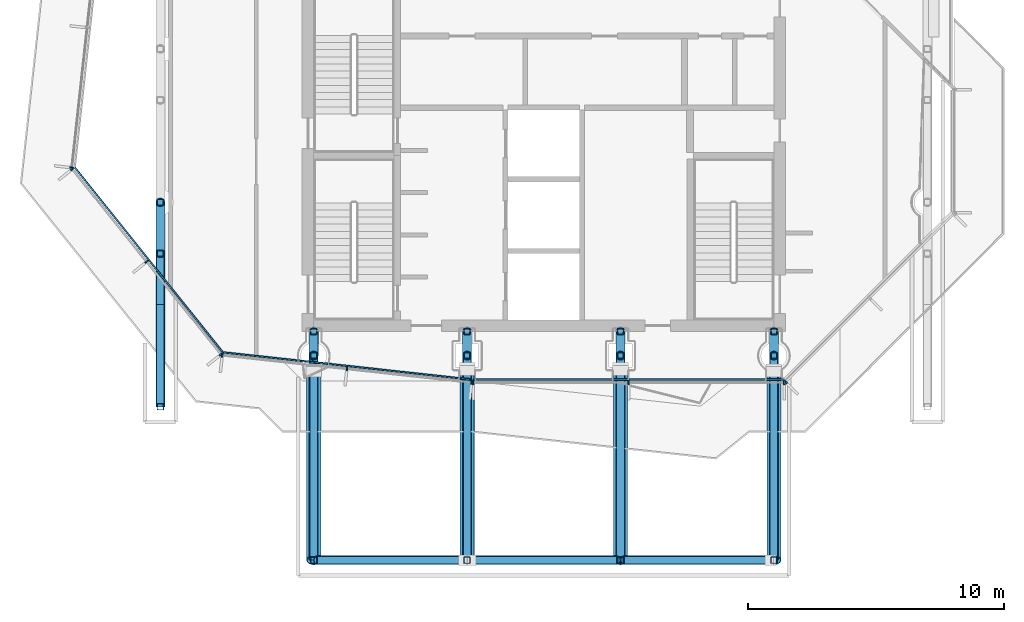
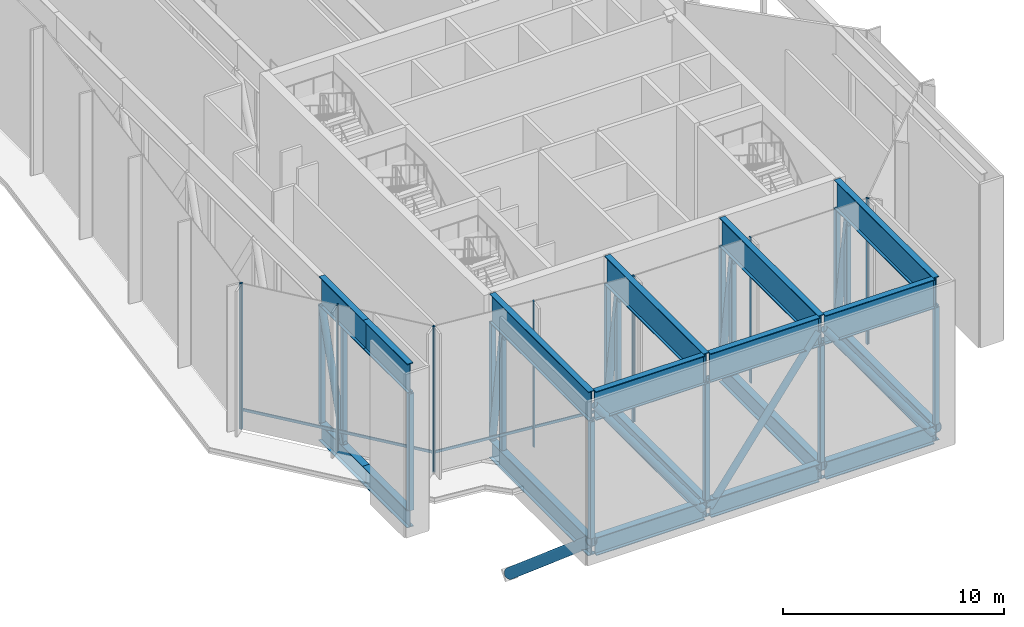
# One storey, part 1 of 21: 53 members, 6 beams, 5 elements without a shape of their own.
"""IFC4 building model written with IfcOpenShell, lengths in metres."""

from ifc_helpers import new_model, si_unit, direction, frame, origin, origin_2d, place, context, subcontext, project, spatial, rectangle, hollow_rectangle, hollow_circle, i_section, extrude, material, layer, layer_set, material_profile, profile_set, type_object, element, aggregate, save


model = new_model("IFC4")

# Units and contexts
model_context = context("Model", 3, precision=1e-05, world=origin(), true_north=direction((0.0, 1.0)))
body_context = subcontext(model_context, "Body", "Model", "MODEL_VIEW")
ifc_project = project(units=[si_unit("LENGTHUNIT", "METRE"), si_unit("AREAUNIT", "SQUARE_METRE"), si_unit("VOLUMEUNIT", "CUBIC_METRE"), si_unit("PLANEANGLEUNIT", "RADIAN"), si_unit("MASSUNIT", "GRAM", prefix="KILO")], contexts=[model_context])

# Site, building, storey
site_placement = place(None, origin())
site = spatial("IfcSite", under=ifc_project, at=site_placement, CompositionType="ELEMENT")
building_placement = place(site_placement, origin())
building = spatial("IfcBuilding", under=site, at=building_placement, Name="Welwitschia Terrace Campus", CompositionType="ELEMENT")
storey_placement = place(building_placement, frame((0.0, 0.0, 255.800048828125)))
storey = spatial("IfcBuildingStorey", under=building, at=storey_placement, Name="L57", CompositionType="ELEMENT", Elevation=255.800048828125)

# Curtain wall, member
ifc_material_1 = material(Name="Bronze anodised aluminium", Category="aluminium")
ifc_layer = layer(ifc_material_1, 0.159912109375)
ifc_layer_set = layer_set([ifc_layer], Name="Bronze anodised aluminium")
curtain_wall_type = type_object("IfcCurtainWallType", Name="Curtain wall CW3 commons 6000", PredefinedType="NOTDEFINED", material=ifc_layer_set)
curtain_wall_1_placement = place(storey_placement, origin())
curtain_wall_1 = element("IfcCurtainWall", 1, at=curtain_wall_1_placement, inside=storey, type_object=curtain_wall_type, Name="CW L57.0.0", PredefinedType="NOTDEFINED")
ifc_material_2 = material(Name="Bronze anodised aluminium", Category="aluminium")
ifc_material_profile_1 = material_profile(ifc_material_2, rectangle(XDim=0.159912109375, YDim=0.06005859375, at=origin_2d()))
ifc_profile_set_1 = profile_set([ifc_material_profile_1], Name="Bronze anodised aluminium")
member_type_1 = type_object("IfcMemberType", Name="Mullion 60x160", PredefinedType="MULLION", material=ifc_profile_set_1)
member_1_placement = place(storey_placement, frame((24.4560546875, 2.97119140625, 0.0), z_axis=(0.0, 0.0, 1.0), x_axis=(-0.707106781187, 0.707106781187, 0.0)))
member_1 = element("IfcMember", 2, at=member_1_placement, type_object=member_type_1, Name="Mullion L57.0.0.0", PredefinedType="MULLION", context=body_context, shape_type="SweptSolid", body=[
    extrude(rectangle(XDim=0.159912109375, YDim=0.06005859375, at=origin_2d()), origin(), (0.0, 0.0, 1.0), 8.050048828125),
])
aggregate(curtain_wall_1, [member_1])

curtain_wall_2_placement = place(storey_placement, origin())
curtain_wall_2 = element("IfcCurtainWall", 3, at=curtain_wall_2_placement, inside=storey, type_object=curtain_wall_type, Name="CW L57.8.0", PredefinedType="NOTDEFINED")
member_2_placement = place(storey_placement, frame((-3.458984375, 11.350341796875, 0.0), z_axis=(0.0, 0.0, 1.0), x_axis=(0.994056338222, -0.108866874852, 0.0)))
member_2 = element("IfcMember", 4, at=member_2_placement, type_object=member_type_1, Name="Mullion L57.8.0.4", PredefinedType="MULLION", context=body_context, shape_type="SweptSolid", body=[
    extrude(rectangle(XDim=0.159912109375, YDim=0.06005859375, at=origin_2d()), origin(), (0.0, 0.0, 1.0), 8.050048828125),
])
aggregate(curtain_wall_2, [member_2])

# Curtain wall, members
curtain_wall_3_placement = place(storey_placement, origin())
curtain_wall_3 = element("IfcCurtainWall", 5, at=curtain_wall_3_placement, inside=storey, type_object=curtain_wall_type, Name="CW L57.9.0", PredefinedType="NOTDEFINED")
member_3_placement = place(storey_placement, frame((-3.443359375, 11.297119140625, 0.0), z_axis=(0.0, 0.0, 1.0), x_axis=(0.779884483093, 0.625923472184, 0.0)))
member_3 = element("IfcMember", 6, at=member_3_placement, type_object=member_type_1, Name="Mullion L57.9.0.0", PredefinedType="MULLION", context=body_context, shape_type="SweptSolid", body=[
    extrude(rectangle(XDim=0.159912109375, YDim=0.06005859375, at=origin_2d()), origin(), (0.0, 0.0, 1.0), 8.050048828125),
])
member_4_placement = place(storey_placement, frame((-0.534423828125, 7.672607421875, 0.0), z_axis=(0.0, 0.0, 1.0), x_axis=(0.779884483093, 0.625923472184, 0.0)))
member_4 = element("IfcMember", 7, at=member_4_placement, type_object=member_type_1, Name="Mullion L57.9.0.1", PredefinedType="MULLION", context=body_context, shape_type="SweptSolid", body=[
    extrude(rectangle(XDim=0.159912109375, YDim=0.06005859375, at=origin_2d()), origin(), (0.0, 0.0, 1.0), 8.050048828125),
])
member_5_placement = place(storey_placement, frame((2.37451171875, 4.048095703125, 0.0), z_axis=(0.0, 0.0, 1.0), x_axis=(0.779884483093, 0.625923472184, 0.0)))
member_5 = element("IfcMember", 8, at=member_5_placement, type_object=member_type_1, Name="Mullion L57.9.0.2", PredefinedType="MULLION", context=body_context, shape_type="SweptSolid", body=[
    extrude(rectangle(XDim=0.159912109375, YDim=0.06005859375, at=origin_2d()), origin(), (0.0, 0.0, 1.0), 8.050048828125),
])

curtain_wall_4_placement = place(storey_placement, origin())
curtain_wall_4 = element("IfcCurtainWall", 9, at=curtain_wall_4_placement, inside=storey, type_object=curtain_wall_type, Name="CW L57.10.0", PredefinedType="NOTDEFINED")
member_6_placement = place(storey_placement, frame((2.42333984375, 4.021484375, 0.0), z_axis=(0.0, 0.0, 1.0), x_axis=(0.108866874852, 0.994056338222, 0.0)))
member_6 = element("IfcMember", 10, at=member_6_placement, type_object=member_type_1, Name="Mullion L57.10.0.0", PredefinedType="MULLION", context=body_context, shape_type="SweptSolid", body=[
    extrude(rectangle(XDim=0.159912109375, YDim=0.06005859375, at=origin_2d()), origin(), (0.0, 0.0, 1.0), 8.050048828125),
])
member_7_placement = place(storey_placement, frame((7.299560546875, 3.4873046875, 0.0), z_axis=(0.0, 0.0, 1.0), x_axis=(0.108866874852, 0.994056338222, 0.0)))
member_7 = element("IfcMember", 11, at=member_7_placement, type_object=member_type_1, Name="Mullion L57.10.0.1", PredefinedType="MULLION", context=body_context, shape_type="SweptSolid", body=[
    extrude(rectangle(XDim=0.159912109375, YDim=0.06005859375, at=origin_2d()), origin(), (0.0, 0.0, 1.0), 8.050048828125),
])
member_8_placement = place(storey_placement, frame((12.176025390625, 2.953369140625, 0.0), z_axis=(0.0, 0.0, 1.0), x_axis=(0.108866874852, 0.994056338222, 0.0)))
member_8 = element("IfcMember", 12, at=member_8_placement, type_object=member_type_1, Name="Mullion L57.10.0.2", PredefinedType="MULLION", context=body_context, shape_type="SweptSolid", body=[
    extrude(rectangle(XDim=0.159912109375, YDim=0.06005859375, at=origin_2d()), origin(), (0.0, 0.0, 1.0), 8.050048828125),
])

curtain_wall_5_placement = place(storey_placement, origin())
curtain_wall_5 = element("IfcCurtainWall", 13, at=curtain_wall_5_placement, inside=storey, type_object=curtain_wall_type, Name="CW L57.11.0", PredefinedType="NOTDEFINED")
member_9_placement = place(storey_placement, frame((12.23583984375, 2.949951171875, 0.0), z_axis=(0.0, 0.0, 1.0), x_axis=(0.0, 1.0, 0.0)))
member_9 = element("IfcMember", 14, at=member_9_placement, type_object=member_type_1, Name="Mullion L57.11.0.0", PredefinedType="MULLION", context=body_context, shape_type="SweptSolid", body=[
    extrude(rectangle(XDim=0.159912109375, YDim=0.06005859375, at=origin_2d()), origin(), (0.0, 0.0, 1.0), 8.050048828125),
])
member_10_placement = place(storey_placement, frame((18.3203125, 2.949951171875, 0.0), z_axis=(0.0, 0.0, 1.0), x_axis=(0.0, 1.0, 0.0)))
member_10 = element("IfcMember", 15, at=member_10_placement, type_object=member_type_1, Name="Mullion L57.11.0.1", PredefinedType="MULLION", context=body_context, shape_type="SweptSolid", body=[
    extrude(rectangle(XDim=0.159912109375, YDim=0.06005859375, at=origin_2d()), origin(), (0.0, 0.0, 1.0), 8.050048828125),
])
member_11_placement = place(storey_placement, frame((24.405029296875, 2.949951171875, 0.0), z_axis=(0.0, 0.0, 1.0), x_axis=(0.0, 1.0, 0.0)))
member_11 = element("IfcMember", 16, at=member_11_placement, type_object=member_type_1, Name="Mullion L57.11.0.2", PredefinedType="MULLION", context=body_context, shape_type="SweptSolid", body=[
    extrude(rectangle(XDim=0.159912109375, YDim=0.06005859375, at=origin_2d()), origin(), (0.0, 0.0, 1.0), 8.050048828125),
])

# Members
ifc_material_3 = material(Name="Steel S355", Category="steel")
ifc_material_profile_2 = material_profile(ifc_material_3, hollow_circle(Radius=0.279541015625, WallThickness=0.02490234375, at=origin_2d()))
ifc_profile_set_2 = profile_set([ifc_material_profile_2], Name="Steel S355")
member_type_2 = type_object("IfcMemberType", Name="Tip brace C4 CHS 559x25", PredefinedType="BRACE", material=ifc_profile_set_2)
member_12_placement = place(storey_placement, frame((6.0, 3.368896484375, -6.47509765625), z_axis=(0.0, -0.761124268879, 0.648606080239), x_axis=(1.0, 0.0, 0.0)))
element("IfcMember", 17, at=member_12_placement, inside=storey, type_object=member_type_2, Name="Tip brace", PredefinedType="BRACE", context=body_context, shape_type="SweptSolid", body=[
    extrude(hollow_circle(Radius=0.279541015625, WallThickness=0.02490234375, at=origin_2d()), origin(), (0.0, 0.0, 1.0), 9.681640625),
])
for number, where, z_axis, x_axis, name in (
    (18, (12.0, 3.41943359375, -6.47509765625), (0.0, -0.763307204241, 0.646035689381), (1.0, 0.0, 0.0), "Tip brace"),
    (19, (18.0, 3.41943359375, -6.47509765625), (0.0, -0.763307204241, 0.646035689381), (1.0, 0.0, 0.0), "Tip brace"),
):
    element("IfcMember", number, at=place(storey_placement, frame(where, z_axis=z_axis, x_axis=x_axis)), inside=storey, type_object=member_type_2, Name=name, PredefinedType="BRACE", context=body_context, shape_type="SweptSolid", body=[
        extrude(hollow_circle(Radius=0.279541015625, WallThickness=0.02490234375, at=origin_2d()), origin(), (0.0, 0.0, 1.0), 9.72021484375),
    ])
member_13_placement = place(storey_placement, frame((24.0, 3.368896484375, -6.47509765625), z_axis=(0.0, -0.761124268879, 0.648606080239), x_axis=(1.0, 0.0, 0.0)))
element("IfcMember", 20, at=member_13_placement, inside=storey, type_object=member_type_2, Name="Tip brace", PredefinedType="BRACE", context=body_context, shape_type="SweptSolid", body=[
    extrude(hollow_circle(Radius=0.279541015625, WallThickness=0.02490234375, at=origin_2d()), origin(), (0.0, 0.0, 1.0), 9.681640625),
])
ifc_material_4 = material(Name="Steel S355", Category="steel")
ifc_material_profile_3 = material_profile(ifc_material_4, hollow_circle(Radius=0.177734375, WallThickness=0.01611328125, at=origin_2d()))
ifc_profile_set_3 = profile_set([ifc_material_profile_3], Name="Steel S355")
member_type_3 = type_object("IfcMemberType", Name="Tip edge diagonal C4 CHS 355.6x16", PredefinedType="BRACE", material=ifc_profile_set_3)
for number, where, z_axis, x_axis, name in (
    (21, (11.824951171875, -4.0, -0.5), (-0.590802671742, 0.0, 0.806816089988), (0.0, -1.0, 0.0), "Truss diagonal"),
    (22, (12.175048828125, -4.0, -0.5), (0.590802671742, 0.0, 0.806816089988), (0.0, 1.0, 0.0), "Truss diagonal"),
    (23, (23.824951171875, -4.0, -0.5), (-0.590802671742, 0.0, 0.806816089988), (0.0, -1.0, 0.0), "Truss diagonal"),
):
    element("IfcMember", number, at=place(storey_placement, frame(where, z_axis=z_axis, x_axis=x_axis)), inside=storey, type_object=member_type_3, Name=name, PredefinedType="BRACE", context=body_context, shape_type="SweptSolid", body=[
        extrude(hollow_circle(Radius=0.177734375, WallThickness=0.01611328125, at=origin_2d()), origin(), (0.0, 0.0, 1.0), 9.605712890625),
    ])

# Beams
ifc_material_5 = material(Name="Steel S355", Category="steel")
ifc_material_profile_4 = material_profile(ifc_material_5, i_section(OverallWidth=0.35009765625, OverallDepth=1.0, WebThickness=0.02490234375, FlangeThickness=0.0400390625, at=origin_2d()))
ifc_profile_set_4 = profile_set([ifc_material_profile_4], Name="Steel S355")
beam_type_1 = type_object("IfcBeamType", Name="Tip edge girder C4 bottom WI 1000x350x25x40", PredefinedType="BEAM", material=ifc_profile_set_4)
for number, where, z_axis, x_axis, name in (
    (24, (6.175048828125, -4.0, -0.5), (1.0, 0.0, 0.0), (0.0, 1.0, 0.0), "Tip edge girder"),
    (25, (12.175048828125, -4.0, -0.5), (1.0, 0.0, 0.0), (0.0, 1.0, 0.0), "Tip edge girder"),
    (26, (18.175048828125, -4.0, -0.5), (1.0, 0.0, 0.0), (0.0, 1.0, 0.0), "Tip edge girder"),
):
    element("IfcBeam", number, at=place(storey_placement, frame(where, z_axis=z_axis, x_axis=x_axis)), inside=storey, type_object=beam_type_1, Name=name, PredefinedType="BEAM", context=body_context, shape_type="SweptSolid", body=[
        extrude(i_section(OverallWidth=0.35009765625, OverallDepth=1.0, WebThickness=0.02490234375, FlangeThickness=0.0400390625, at=origin_2d()), origin(), (0.0, 0.0, 1.0), 5.64990234375),
    ])
ifc_material_6 = material(Name="Steel S355", Category="steel")
ifc_material_profile_5 = material_profile(ifc_material_6, i_section(OverallWidth=0.300048828125, OverallDepth=1.60009765625, WebThickness=0.02490234375, FlangeThickness=0.0400390625, at=origin_2d()))
ifc_profile_set_5 = profile_set([ifc_material_profile_5], Name="Steel S355")
beam_type_2 = type_object("IfcBeamType", Name="Tip edge girder C4 top WI 1600x300x25x40", PredefinedType="BEAM", material=ifc_profile_set_5)
for number, where, z_axis, x_axis, name in (
    (27, (6.14990234375, -4.0, 7.25), (1.0, 0.0, 0.0), (0.0, 1.0, 0.0), "Tip edge girder"),
    (28, (12.14990234375, -4.0, 7.25), (1.0, 0.0, 0.0), (0.0, 1.0, 0.0), "Tip edge girder"),
    (29, (18.14990234375, -4.0, 7.25), (1.0, 0.0, 0.0), (0.0, 1.0, 0.0), "Tip edge girder"),
):
    element("IfcBeam", number, at=place(storey_placement, frame(where, z_axis=z_axis, x_axis=x_axis)), inside=storey, type_object=beam_type_2, Name=name, PredefinedType="BEAM", context=body_context, shape_type="SweptSolid", body=[
        extrude(i_section(OverallWidth=0.300048828125, OverallDepth=1.60009765625, WebThickness=0.02490234375, FlangeThickness=0.0400390625, at=origin_2d()), origin(), (0.0, 0.0, 1.0), 5.7001953125),
    ])

# Members
ifc_material_7 = material(Name="Steel S355", Category="steel")
ifc_material_profile_6 = material_profile(ifc_material_7, i_section(OverallWidth=0.35009765625, OverallDepth=1.0, WebThickness=0.034912109375, FlangeThickness=0.0400390625, at=origin_2d()))
ifc_profile_set_6 = profile_set([ifc_material_profile_6], Name="Steel S355")
member_type_4 = type_object("IfcMemberType", Name="Transfer truss C4 bottom cantilever chord WI 1000x350x35x40", PredefinedType="CHORD", material=ifc_profile_set_6)
for number, where, z_axis, x_axis, name in (
    (30, (0.0, 2.0, -0.5), (0.0, 1.0, 0.0), (-1.0, 0.0, 0.0), "Truss bottom chord"),
    (31, (0.0, 6.0, -0.5), (0.0, 1.0, 0.0), (-1.0, 0.0, 0.0), "Truss bottom chord"),
):
    element("IfcMember", number, at=place(storey_placement, frame(where, z_axis=z_axis, x_axis=x_axis)), inside=storey, type_object=member_type_4, Name=name, PredefinedType="CHORD", context=body_context, shape_type="SweptSolid", body=[
        extrude(i_section(OverallWidth=0.35009765625, OverallDepth=1.0, WebThickness=0.034912109375, FlangeThickness=0.0400390625, at=origin_2d()), origin(), (0.0, 0.0, 1.0), 4.0),
    ])
for number, where, z_axis, x_axis, name in (
    (32, (6.0, -4.0, -0.5), (0.0, 1.0, 0.0), (-1.0, 0.0, 0.0), "Truss bottom chord"),
    (33, (12.0, -4.0, -0.5), (0.0, 1.0, 0.0), (-1.0, 0.0, 0.0), "Truss bottom chord"),
    (34, (18.0, -4.0, -0.5), (0.0, 1.0, 0.0), (-1.0, 0.0, 0.0), "Truss bottom chord"),
    (35, (24.0, -4.0, -0.5), (0.0, 1.0, 0.0), (-1.0, 0.0, 0.0), "Truss bottom chord"),
):
    element("IfcMember", number, at=place(storey_placement, frame(where, z_axis=z_axis, x_axis=x_axis)), inside=storey, type_object=member_type_4, Name=name, PredefinedType="CHORD", context=body_context, shape_type="SweptSolid", body=[
        extrude(i_section(OverallWidth=0.35009765625, OverallDepth=1.0, WebThickness=0.034912109375, FlangeThickness=0.0400390625, at=origin_2d()), origin(), (0.0, 0.0, 1.0), 8.949951171875),
    ])
ifc_material_8 = material(Name="Steel S355", Category="steel")
ifc_material_profile_7 = material_profile(ifc_material_8, hollow_circle(Radius=0.177734375, WallThickness=0.01611328125, at=origin_2d()))
ifc_profile_set_7 = profile_set([ifc_material_profile_7], Name="Steel S355")
member_type_5 = type_object("IfcMemberType", Name="Transfer truss C4 diagonal CHS 355.6x16", PredefinedType="BRACE", material=ifc_profile_set_7)
member_14_placement = place(storey_placement, frame((0.0, 8.0, 0.0), z_axis=(0.0, 0.296168365803, 0.955135749042), x_axis=(-1.0, 0.0, 0.0)))
element("IfcMember", 36, at=member_14_placement, inside=storey, type_object=member_type_5, Name="Truss diagonal", PredefinedType="BRACE", context=body_context, shape_type="SweptSolid", body=[
    extrude(hollow_circle(Radius=0.177734375, WallThickness=0.01611328125, at=origin_2d()), origin(), (0.0, 0.0, 1.0), 6.7529296875),
])
for number, where, z_axis, x_axis, name in (
    (37, (6.0, 4.949951171875, 0.0), (0.0, -0.145708525865, 0.989327562282), (1.0, 0.0, 0.0), "Truss diagonal"),
    (38, (12.0, 4.949951171875, 0.0), (0.0, -0.145708525865, 0.989327562282), (1.0, 0.0, 0.0), "Truss diagonal"),
    (39, (18.0, 4.949951171875, 0.0), (0.0, -0.145708525865, 0.989327562282), (1.0, 0.0, 0.0), "Truss diagonal"),
    (40, (24.0, 4.949951171875, 0.0), (0.0, -0.145708525865, 0.989327562282), (1.0, 0.0, 0.0), "Truss diagonal"),
):
    element("IfcMember", number, at=place(storey_placement, frame(where, z_axis=z_axis, x_axis=x_axis)), inside=storey, type_object=member_type_5, Name=name, PredefinedType="BRACE", context=body_context, shape_type="SweptSolid", body=[
        extrude(hollow_circle(Radius=0.177734375, WallThickness=0.01611328125, at=origin_2d()), origin(), (0.0, 0.0, 1.0), 6.51953125),
    ])
ifc_material_9 = material(Name="Steel S355", Category="steel")
ifc_material_profile_8 = material_profile(ifc_material_9, hollow_rectangle(XDim=0.25, YDim=0.25, WallThickness=0.013916015625, InnerFilletRadius=0.013916015625, OuterFilletRadius=0.02099609375, at=origin_2d()))
ifc_profile_set_8 = profile_set([ifc_material_profile_8], Name="Steel S355")
member_type_6 = type_object("IfcMemberType", Name="Transfer truss C4 post SHS 250x250x14", PredefinedType="POST", material=ifc_profile_set_8)
for number, where, z_axis, x_axis, name in (
    (41, (0.0, 2.0, 0.0), (0.0, 0.0, 1.0), (1.0, 0.0, 0.0), "Truss post"),
    (42, (0.0, 8.0, 0.0), (0.0, 0.0, 1.0), (1.0, 0.0, 0.0), "Truss post"),
    (43, (0.0, 10.0, 0.0), (0.0, 0.0, 1.0), (1.0, 0.0, 0.0), "Truss post"),
    (44, (6.0, -4.0, 0.0), (0.0, 0.0, 1.0), (1.0, 0.0, 0.0), "Truss post"),
    (45, (6.0, 4.0, 0.0), (0.0, 0.0, 1.0), (1.0, 0.0, 0.0), "Truss post"),
    (46, (6.0, 4.949951171875, 0.0), (0.0, 0.0, 1.0), (1.0, 0.0, 0.0), "Truss post"),
    (47, (12.0, -4.0, 0.0), (0.0, 0.0, 1.0), (1.0, 0.0, 0.0), "Truss post"),
    (48, (12.0, 4.0, 0.0), (0.0, 0.0, 1.0), (1.0, 0.0, 0.0), "Truss post"),
    (49, (12.0, 4.949951171875, 0.0), (0.0, 0.0, 1.0), (1.0, 0.0, 0.0), "Truss post"),
    (50, (18.0, -4.0, 0.0), (0.0, 0.0, 1.0), (1.0, 0.0, 0.0), "Truss post"),
    (51, (18.0, 4.0, 0.0), (0.0, 0.0, 1.0), (1.0, 0.0, 0.0), "Truss post"),
    (52, (18.0, 4.949951171875, 0.0), (0.0, 0.0, 1.0), (1.0, 0.0, 0.0), "Truss post"),
    (53, (24.0, -4.0, 0.0), (0.0, 0.0, 1.0), (1.0, 0.0, 0.0), "Truss post"),
    (54, (24.0, 4.0, 0.0), (0.0, 0.0, 1.0), (1.0, 0.0, 0.0), "Truss post"),
    (55, (24.0, 4.949951171875, 0.0), (0.0, 0.0, 1.0), (1.0, 0.0, 0.0), "Truss post"),
):
    element("IfcMember", number, at=place(storey_placement, frame(where, z_axis=z_axis, x_axis=x_axis)), inside=storey, type_object=member_type_6, Name=name, PredefinedType="POST", context=body_context, shape_type="SweptSolid", body=[
        extrude(hollow_rectangle(XDim=0.25, YDim=0.25, WallThickness=0.013916015625, InnerFilletRadius=0.013916015625, OuterFilletRadius=0.02099609375, at=origin_2d()), origin(), (0.0, 0.0, 1.0), 6.449951171875),
    ])
ifc_material_10 = material(Name="Steel S355", Category="steel")
ifc_material_profile_9 = material_profile(ifc_material_10, i_section(OverallWidth=0.300048828125, OverallDepth=1.60009765625, WebThickness=0.034912109375, FlangeThickness=0.0400390625, at=origin_2d()))
ifc_profile_set_9 = profile_set([ifc_material_profile_9], Name="Steel S355")
member_type_7 = type_object("IfcMemberType", Name="Transfer truss C4 top cantilever chord WI 1600x300x35x40", PredefinedType="CHORD", material=ifc_profile_set_9)
for number, where, z_axis, x_axis, name in (
    (56, (0.0, 2.0, 7.25), (0.0, 1.0, 0.0), (-1.0, 0.0, 0.0), "Truss top chord"),
    (57, (0.0, 6.0, 7.25), (0.0, 1.0, 0.0), (-1.0, 0.0, 0.0), "Truss top chord"),
):
    element("IfcMember", number, at=place(storey_placement, frame(where, z_axis=z_axis, x_axis=x_axis)), inside=storey, type_object=member_type_7, Name=name, PredefinedType="CHORD", context=body_context, shape_type="SweptSolid", body=[
        extrude(i_section(OverallWidth=0.300048828125, OverallDepth=1.60009765625, WebThickness=0.034912109375, FlangeThickness=0.0400390625, at=origin_2d()), origin(), (0.0, 0.0, 1.0), 4.0),
    ])
for number, where, z_axis, x_axis, name in (
    (58, (6.0, -4.0, 7.25), (0.0, 1.0, 0.0), (-1.0, 0.0, 0.0), "Truss top chord"),
    (59, (12.0, -4.0, 7.25), (0.0, 1.0, 0.0), (-1.0, 0.0, 0.0), "Truss top chord"),
    (60, (18.0, -4.0, 7.25), (0.0, 1.0, 0.0), (-1.0, 0.0, 0.0), "Truss top chord"),
    (61, (24.0, -4.0, 7.25), (0.0, 1.0, 0.0), (-1.0, 0.0, 0.0), "Truss top chord"),
):
    element("IfcMember", number, at=place(storey_placement, frame(where, z_axis=z_axis, x_axis=x_axis)), inside=storey, type_object=member_type_7, Name=name, PredefinedType="CHORD", context=body_context, shape_type="SweptSolid", body=[
        extrude(i_section(OverallWidth=0.300048828125, OverallDepth=1.60009765625, WebThickness=0.034912109375, FlangeThickness=0.0400390625, at=origin_2d()), origin(), (0.0, 0.0, 1.0), 8.949951171875),
    ])

# Member
ifc_material_11 = material(Name="Bronze anodised aluminium", Category="aluminium")
ifc_material_profile_10 = material_profile(ifc_material_11, rectangle(XDim=0.06005859375, YDim=0.14990234375, at=origin_2d()))
ifc_profile_set_10 = profile_set([ifc_material_profile_10], Name="Bronze anodised aluminium")
member_type_8 = type_object("IfcMemberType", Name="Transom 60x150", PredefinedType="USERDEFINED", material=ifc_profile_set_10)
member_15_placement = place(storey_placement, frame((-3.3388671875, 11.342529296875, 1.0), z_axis=(0.625935481246, -0.779874844649, 0.0), x_axis=(0.779874844649, 0.625935481246, 0.0)))
member_15 = element("IfcMember", 62, at=member_15_placement, type_object=member_type_8, Name="Transom L57.9.0", ObjectType="TRANSOM", PredefinedType="USERDEFINED", context=body_context, shape_type="SweptSolid", body=[
    extrude(rectangle(XDim=0.06005859375, YDim=0.14990234375, at=origin_2d()), origin(), (0.0, 0.0, 1.0), 9.235107421875),
])

aggregate(curtain_wall_3, [member_3, member_4, member_5, member_15])

member_16_placement = place(storey_placement, frame((2.465087890625, 4.12744140625, 1.0), z_axis=(0.994056841311, -0.108862281088, 0.0), x_axis=(0.108862281088, 0.994056841311, 0.0)))
member_16 = element("IfcMember", 63, at=member_16_placement, type_object=member_type_8, Name="Transom L57.10.0", ObjectType="TRANSOM", PredefinedType="USERDEFINED", context=body_context, shape_type="SweptSolid", body=[
    extrude(rectangle(XDim=0.06005859375, YDim=0.14990234375, at=origin_2d()), origin(), (0.0, 0.0, 1.0), 9.7509765625),
])

aggregate(curtain_wall_4, [member_6, member_7, member_8, member_16])

member_17_placement = place(storey_placement, frame((12.265869140625, 3.06005859375, 1.0), z_axis=(1.0, 0.0, 0.0), x_axis=(0.0, 1.0, 0.0)))
member_17 = element("IfcMember", 64, at=member_17_placement, type_object=member_type_8, Name="Transom L57.11.0", ObjectType="TRANSOM", PredefinedType="USERDEFINED", context=body_context, shape_type="SweptSolid", body=[
    extrude(rectangle(XDim=0.06005859375, YDim=0.14990234375, at=origin_2d()), origin(), (0.0, 0.0, 1.0), 12.109130859375),
])

aggregate(curtain_wall_5, [member_9, member_10, member_11, member_17])

save(model, "model.ifc")
